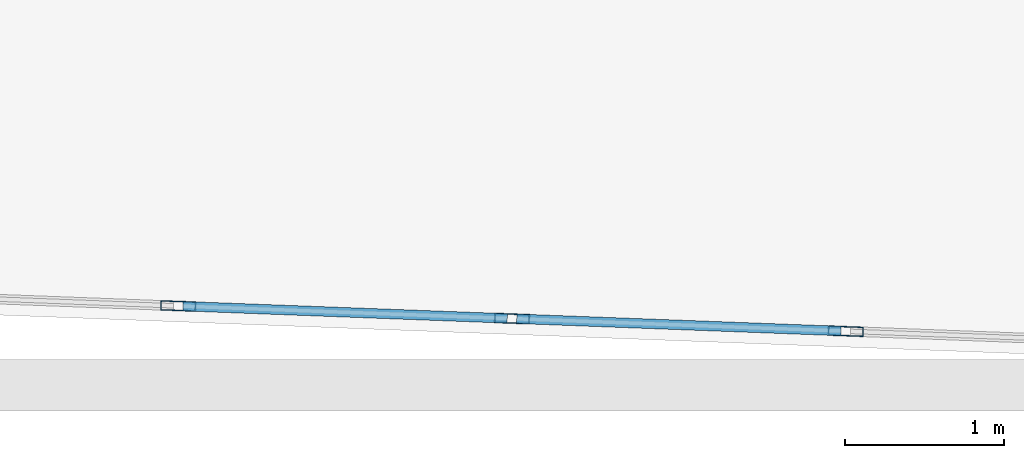
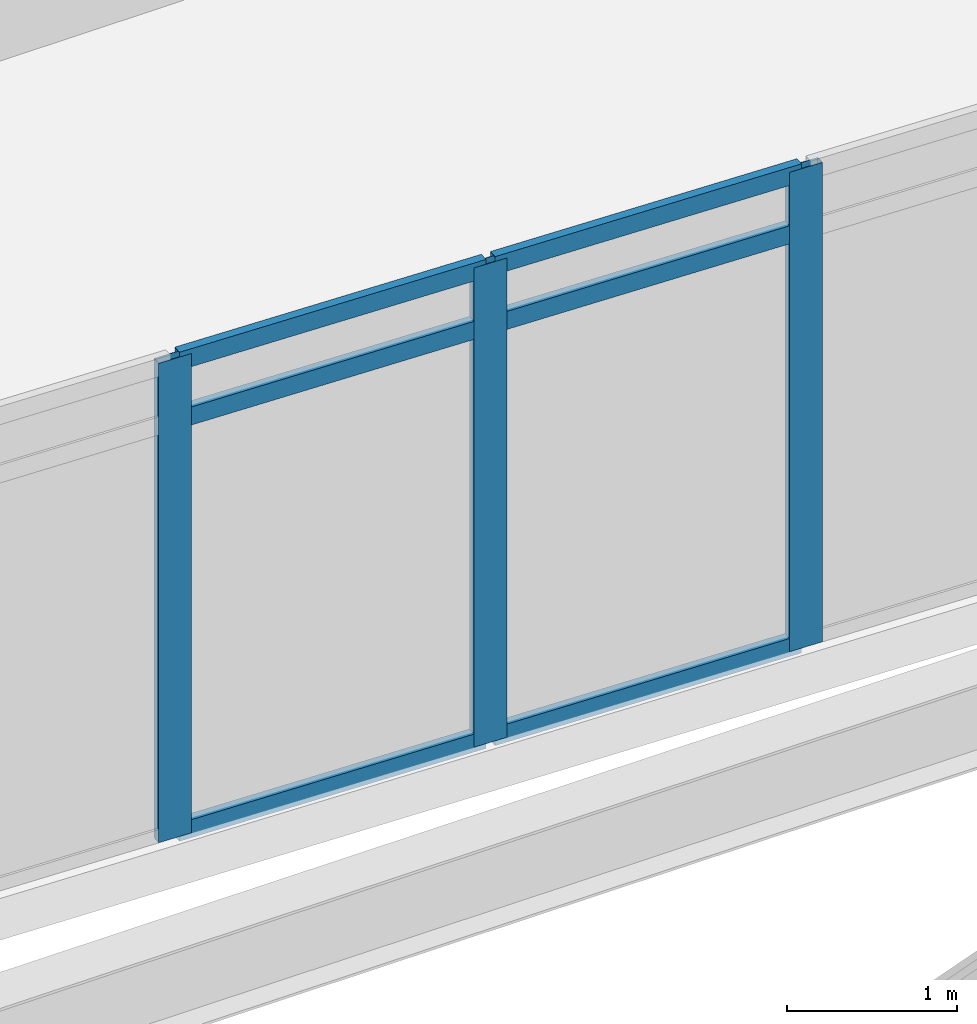
# One storey, part 6 of 34: 9 members, 1 element without a shape of its own.
"""IFC4 building model written with IfcOpenShell, lengths in metres."""

from ifc_helpers import new_model, si_unit, direction, frame, origin, origin_2d, place, context, subcontext, project, spatial, hollow_rectangle, extrude, material, material_profile, profile_set, type_object, element, aggregate, save


model = new_model("IFC4")

# Units and contexts
model_context = context("Model", 3, precision=1e-05, world=origin(), true_north=direction((0.0, 1.0)))
body_context = subcontext(model_context, "Body", "Model", "MODEL_VIEW")
ifc_project = project(units=[si_unit("LENGTHUNIT", "METRE"), si_unit("AREAUNIT", "SQUARE_METRE"), si_unit("VOLUMEUNIT", "CUBIC_METRE"), si_unit("PLANEANGLEUNIT", "RADIAN"), si_unit("MASSUNIT", "GRAM", prefix="KILO")], contexts=[model_context])

# Site, building, storey
site_placement = place(None, origin())
site = spatial("IfcSite", under=ifc_project, at=site_placement, CompositionType="ELEMENT")
building_placement = place(site_placement, origin())
building = spatial("IfcBuilding", under=site, at=building_placement, Name="Ostrander Bayou Hotel Tower", CompositionType="ELEMENT")
storey_placement = place(building_placement, frame((0.0, 0.0, 222.0)))
storey = spatial("IfcBuildingStorey", under=building, at=storey_placement, Name="L55", CompositionType="ELEMENT", Elevation=222.0)

# Curtain wall, members
ifc_material_1 = material(Name="Aluminium and clear glass", Category="aluminium")
curtain_wall_type = type_object("IfcCurtainWallType", Name="CW-BAR glazed wall", PredefinedType="NOTDEFINED", material=ifc_material_1)
curtain_wall_placement = place(storey_placement, origin())
curtain_wall = element("IfcCurtainWall", 1, at=curtain_wall_placement, inside=storey, type_object=curtain_wall_type, Name="CW-BAR L55:SB5S:T", PredefinedType="NOTDEFINED")
ifc_material_2 = material(Name="Aluminium", Category="aluminium")
ifc_material_profile_1 = material_profile(ifc_material_2, hollow_rectangle(XDim=0.06005859375, YDim=0.219970703125, WallThickness=0.00390625, at=origin_2d()))
ifc_profile_set_1 = profile_set([ifc_material_profile_1], Name="Aluminium")
member_type_1 = type_object("IfcMemberType", Name="CW-BR mullion 60 x 220 mm", PredefinedType="MULLION", material=ifc_profile_set_1)
member_1_placement = place(storey_placement, frame((0.0, -29.0, 0.0), z_axis=(0.0, 0.0, 1.0), x_axis=(0.037757725854, 0.99928692283, 0.0)))
member_1 = element("IfcMember", 2, at=member_1_placement, type_object=member_type_1, Name="CW-BAR mullion 6", PredefinedType="MULLION", context=body_context, shape_type="SweptSolid", body=[
    extrude(hollow_rectangle(XDim=0.06005859375, YDim=0.219970703125, WallThickness=0.00390625, at=origin_2d()), origin(), (0.0, 0.0, 1.0), 3.449951171875),
])
member_2_placement = place(storey_placement, frame((2.1025390625, -29.079345703125, 0.0), z_axis=(0.0, 0.0, 1.0), x_axis=(0.037757725854, 0.99928692283, 0.0)))
member_2 = element("IfcMember", 3, at=member_2_placement, type_object=member_type_1, Name="CW-BAR mullion 7", PredefinedType="MULLION", context=body_context, shape_type="SweptSolid", body=[
    extrude(hollow_rectangle(XDim=0.06005859375, YDim=0.219970703125, WallThickness=0.00390625, at=origin_2d()), origin(), (0.0, 0.0, 1.0), 3.449951171875),
])
member_3_placement = place(storey_placement, frame((4.204833984375, -29.158935546875, 0.0), z_axis=(0.0, 0.0, 1.0), x_axis=(0.037757725854, 0.99928692283, 0.0)))
member_3 = element("IfcMember", 4, at=member_3_placement, type_object=member_type_1, Name="CW-BAR mullion 8", PredefinedType="MULLION", context=body_context, shape_type="SweptSolid", body=[
    extrude(hollow_rectangle(XDim=0.06005859375, YDim=0.219970703125, WallThickness=0.00390625, at=origin_2d()), origin(), (0.0, 0.0, 1.0), 3.449951171875),
])
ifc_material_3 = material(Name="Aluminium", Category="aluminium")
ifc_material_profile_2 = material_profile(ifc_material_3, hollow_rectangle(XDim=0.06005859375, YDim=0.1298828125, WallThickness=0.00390625, at=origin_2d()))
ifc_profile_set_2 = profile_set([ifc_material_profile_2], Name="Aluminium")
member_type_2 = type_object("IfcMemberType", Name="CW-BR transom 60 x 130 mm", PredefinedType="USERDEFINED", material=ifc_profile_set_2)
member_4_placement = place(storey_placement, frame((0.030029296875, -29.001220703125, 0.030029296875), z_axis=(0.999287402917, -0.037745017849, 0.0), x_axis=(0.037745017849, 0.999287402917, 0.0)))
member_4 = element("IfcMember", 5, at=member_4_placement, type_object=member_type_2, Name="CW-BAR transom 6.1", ObjectType="TRANSOM", PredefinedType="USERDEFINED", context=body_context, shape_type="SweptSolid", body=[
    extrude(hollow_rectangle(XDim=0.06005859375, YDim=0.1298828125, WallThickness=0.00390625, at=origin_2d()), origin(), (0.0, 0.0, 1.0), 2.0439453125),
])
member_5_placement = place(storey_placement, frame((0.030029296875, -29.001220703125, 3.0), z_axis=(0.999287402917, -0.037745017849, 0.0), x_axis=(0.037745017849, 0.999287402917, 0.0)))
member_5 = element("IfcMember", 6, at=member_5_placement, type_object=member_type_2, Name="CW-BAR transom 6.2", ObjectType="TRANSOM", PredefinedType="USERDEFINED", context=body_context, shape_type="SweptSolid", body=[
    extrude(hollow_rectangle(XDim=0.06005859375, YDim=0.1298828125, WallThickness=0.00390625, at=origin_2d()), origin(), (0.0, 0.0, 1.0), 2.0439453125),
])
member_6_placement = place(storey_placement, frame((0.030029296875, -29.001220703125, 3.419921875), z_axis=(0.999287402917, -0.037745017849, 0.0), x_axis=(0.037745017849, 0.999287402917, 0.0)))
member_6 = element("IfcMember", 7, at=member_6_placement, type_object=member_type_2, Name="CW-BAR transom 6.3", ObjectType="TRANSOM", PredefinedType="USERDEFINED", context=body_context, shape_type="SweptSolid", body=[
    extrude(hollow_rectangle(XDim=0.06005859375, YDim=0.1298828125, WallThickness=0.00390625, at=origin_2d()), origin(), (0.0, 0.0, 1.0), 2.0439453125),
])
member_7_placement = place(storey_placement, frame((2.13232421875, -29.08056640625, 0.030029296875), z_axis=(0.999287402917, -0.037745017849, 0.0), x_axis=(0.037745017849, 0.999287402917, 0.0)))
member_7 = element("IfcMember", 8, at=member_7_placement, type_object=member_type_2, Name="CW-BAR transom 7.1", ObjectType="TRANSOM", PredefinedType="USERDEFINED", context=body_context, shape_type="SweptSolid", body=[
    extrude(hollow_rectangle(XDim=0.06005859375, YDim=0.1298828125, WallThickness=0.00390625, at=origin_2d()), origin(), (0.0, 0.0, 1.0), 2.0439453125),
])
member_8_placement = place(storey_placement, frame((2.13232421875, -29.08056640625, 3.0), z_axis=(0.999287402917, -0.037745017849, 0.0), x_axis=(0.037745017849, 0.999287402917, 0.0)))
member_8 = element("IfcMember", 9, at=member_8_placement, type_object=member_type_2, Name="CW-BAR transom 7.2", ObjectType="TRANSOM", PredefinedType="USERDEFINED", context=body_context, shape_type="SweptSolid", body=[
    extrude(hollow_rectangle(XDim=0.06005859375, YDim=0.1298828125, WallThickness=0.00390625, at=origin_2d()), origin(), (0.0, 0.0, 1.0), 2.0439453125),
])
member_9_placement = place(storey_placement, frame((2.13232421875, -29.08056640625, 3.419921875), z_axis=(0.999287402917, -0.037745017849, 0.0), x_axis=(0.037745017849, 0.999287402917, 0.0)))
member_9 = element("IfcMember", 10, at=member_9_placement, type_object=member_type_2, Name="CW-BAR transom 7.3", ObjectType="TRANSOM", PredefinedType="USERDEFINED", context=body_context, shape_type="SweptSolid", body=[
    extrude(hollow_rectangle(XDim=0.06005859375, YDim=0.1298828125, WallThickness=0.00390625, at=origin_2d()), origin(), (0.0, 0.0, 1.0), 2.0439453125),
])
aggregate(curtain_wall, [member_1, member_2, member_3, member_4, member_5, member_6, member_7, member_8, member_9])

save(model, "model.ifc")
